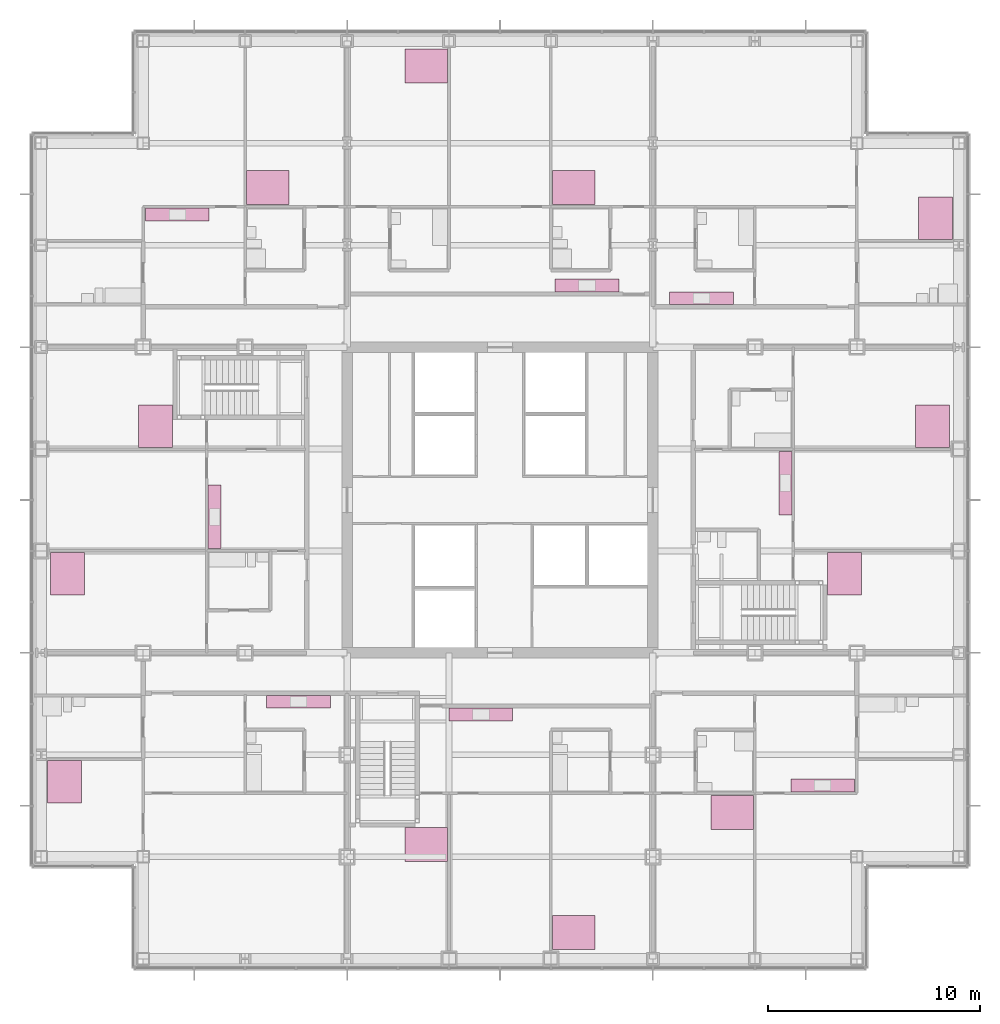
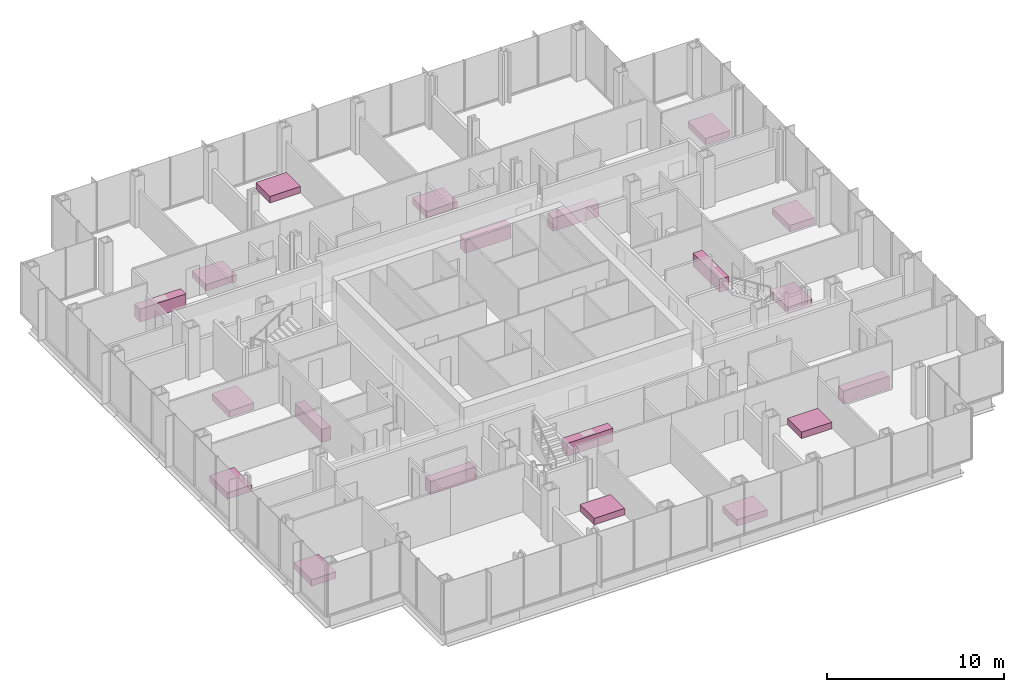
# One storey, part 21 of 21: 20 furniture elements.
"""IFC4 building model written with IfcOpenShell, lengths in metres."""

from ifc_helpers import new_model, si_unit, direction, frame, origin, origin_2d, place, context, subcontext, project, spatial, rectangle, extrude, material, type_object, element, save


model = new_model("IFC4")

# Units and contexts
model_context = context("Model", 3, precision=1e-05, world=origin(), true_north=direction((0.0, 1.0)))
body_context = subcontext(model_context, "Body", "Model", "MODEL_VIEW")
ifc_project = project(units=[si_unit("LENGTHUNIT", "METRE"), si_unit("AREAUNIT", "SQUARE_METRE"), si_unit("VOLUMEUNIT", "CUBIC_METRE"), si_unit("PLANEANGLEUNIT", "RADIAN"), si_unit("MASSUNIT", "GRAM", prefix="KILO")], contexts=[model_context])

# Site, building, storey
site_placement = place(None, origin())
site = spatial("IfcSite", under=ifc_project, at=site_placement, CompositionType="ELEMENT")
building_placement = place(site_placement, origin())
building = spatial("IfcBuilding", under=site, at=building_placement, Name="Kvirike Care Tower", CompositionType="ELEMENT")
storey_placement = place(building_placement, frame((0.0, 0.0, 58.5)))
storey = spatial("IfcBuildingStorey", under=building, at=storey_placement, Name="L15", CompositionType="ELEMENT", Elevation=58.5)

# Furniture
ifc_material_1 = material(Name="Timber", Category="wood")
furniture_type_1 = type_object("IfcFurnitureType", Name="DOUBLE BED 1600 x 2000", AssemblyPlace="FACTORY", PredefinedType="BED", material=ifc_material_1)
for number, where, z_axis, x_axis, name in (
    (1, (1.093994140625, 22.738037109375, 0.0), (0.0, 0.0, 1.0), (1.0, 0.0, 0.0), "Double bed L15-002"),
    (2, (5.389892578125, 39.4619140625, 0.0), (0.0, 0.0, 1.0), (-1.0, 0.0, 0.0), "Double bed L15-010"),
    (3, (1.2451171875, 32.5380859375, 0.0), (0.0, 0.0, 1.0), (1.0, 0.0, 0.0), "Double bed L15-012"),
    (4, (10.662109375, 50.7099609375, 0.0), (0.0, 0.0, 1.0), (0.0, 1.0, 0.0), "Double bed L15-018"),
    (5, (18.137939453125, 19.7900390625, 0.0), (0.0, 0.0, 1.0), (0.0, -1.0, 0.0), "Double bed L15-026"),
    (6, (25.06201171875, 15.64501953125, 0.0), (0.0, 0.0, 1.0), (0.0, 1.0, 0.0), "Double bed L15-028"),
    (7, (25.06201171875, 50.7099609375, 0.0), (0.0, 0.0, 1.0), (0.0, 1.0, 0.0), "Double bed L15-032"),
    (8, (18.137939453125, 56.429931640625, 0.0), (0.0, 0.0, 1.0), (0.0, -1.0, 0.0), "Double bed L15-034"),
    (9, (32.5380859375, 21.2900390625, 0.0), (0.0, 0.0, 1.0), (0.0, -1.0, 0.0), "Double bed L15-039"),
    (10, (37.81005859375, 32.5380859375, 0.0), (0.0, 0.0, 1.0), (1.0, 0.0, 0.0), "Double bed L15-047"),
    (11, (41.955078125, 39.4619140625, 0.0), (0.0, 0.0, 1.0), (-1.0, 0.0, 0.0), "Double bed L15-049"),
    (12, (42.10595703125, 49.261962890625, 0.0), (0.0, 0.0, 1.0), (-1.0, 0.0, 0.0), "Double bed L15-055"),
):
    element("IfcFurniture", number, at=place(storey_placement, frame(where, z_axis=z_axis, x_axis=x_axis)), inside=storey, type_object=furniture_type_1, Name=name, PredefinedType="BED", context=body_context, shape_type="SweptSolid", body=[
        extrude(rectangle(XDim=1.60009765625, YDim=2.0, at=origin_2d()), origin(), (0.0, 0.0, 1.0), 0.449951171875),
    ])
ifc_material_2 = material(Name="Laminated board", Category="wood")
furniture_type_2 = type_object("IfcFurnitureType", Name="KITCHEN UNIT RUN 600", AssemblyPlace="FACTORY", PredefinedType="USERDEFINED", material=ifc_material_2)
for number, where, z_axis, x_axis, name in (
    (13, (12.110107421875, 26.498046875, 0.0), (0.0, 0.0, 1.0), (1.0, 0.0, 0.0), "Kitchen unit run L15-007"),
    (14, (8.162109375, 35.2099609375, 0.0), (0.0, 0.0, 1.0), (0.0, 1.0, 0.0), "Kitchen unit run L15-015"),
    (15, (6.409912109375, 49.43798828125, 0.0), (0.0, 0.0, 1.0), (1.0, 0.0, 0.0), "Kitchen unit run L15-023"),
    (16, (20.699951171875, 25.89794921875, 0.0), (0.0, 0.0, 1.0), (1.0, 0.0, 0.0), "Kitchen unit run L15-030"),
    (17, (25.699951171875, 46.10205078125, 0.0), (0.0, 0.0, 1.0), (-1.0, 0.0, 0.0), "Kitchen unit run L15-037"),
    (18, (36.7900390625, 22.56201171875, 0.0), (0.0, 0.0, 1.0), (-1.0, 0.0, 0.0), "Kitchen unit run L15-044"),
    (19, (35.0380859375, 36.7900390625, 0.0), (0.0, 0.0, 1.0), (0.0, -1.0, 0.0), "Kitchen unit run L15-052"),
    (20, (31.090087890625, 45.501953125, 0.0), (0.0, 0.0, 1.0), (-1.0, 0.0, 0.0), "Kitchen unit run L15-060"),
):
    element("IfcFurniture", number, at=place(storey_placement, frame(where, z_axis=z_axis, x_axis=x_axis)), inside=storey, type_object=furniture_type_2, Name=name, ObjectType="KITCHEN UNIT", PredefinedType="USERDEFINED", context=body_context, shape_type="SweptSolid", body=[
        extrude(rectangle(XDim=3.0, YDim=0.60009765625, at=origin_2d()), origin(), (0.0, 0.0, 1.0), 0.89990234375),
    ])

save(model, "model.ifc")
